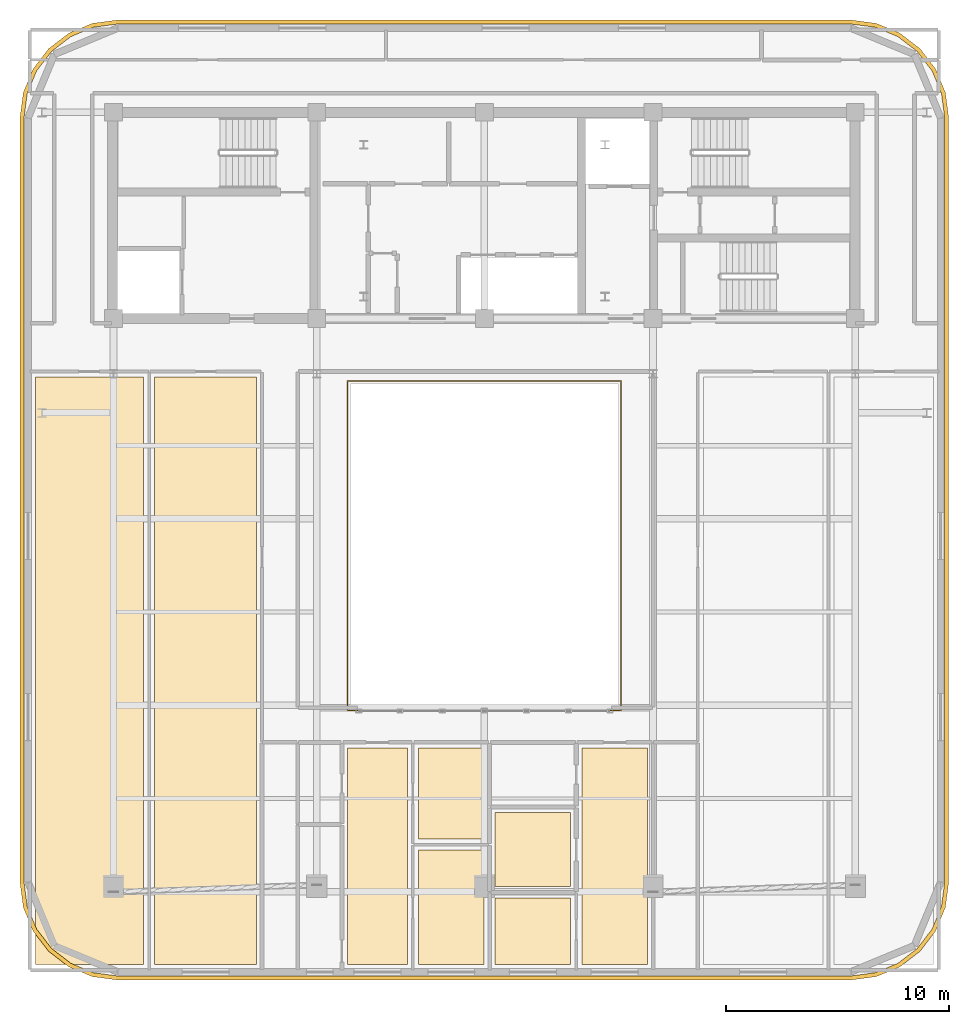
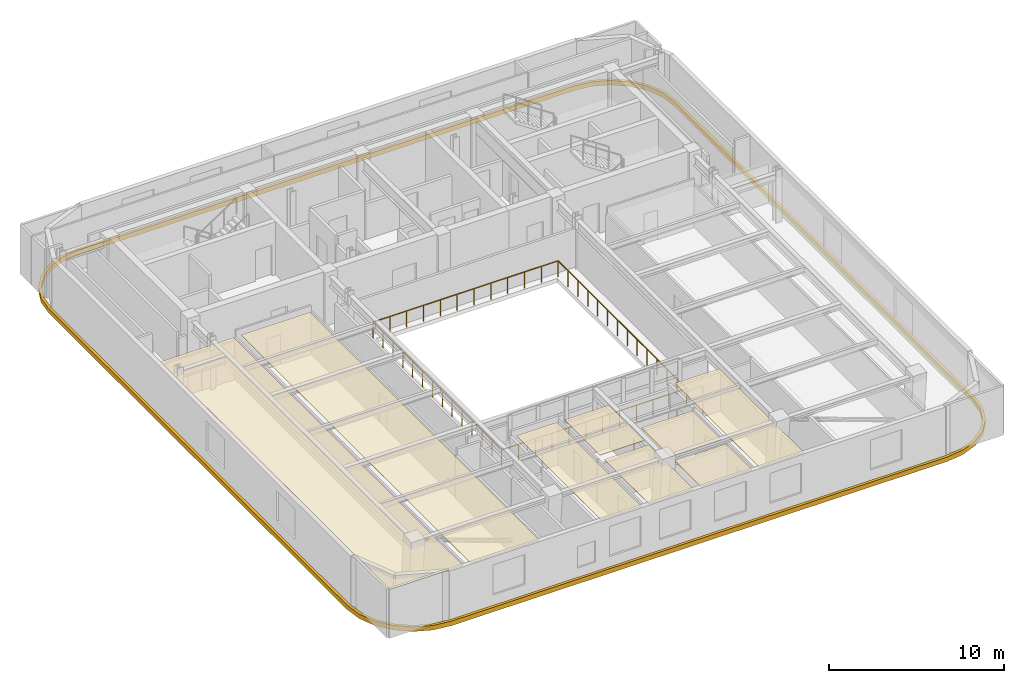
# One storey, part 9 of 11: 9 coverings, 1 railing.
"""IFC4 building model written with IfcOpenShell, lengths in metres."""

from ifc_helpers import new_model, si_unit, direction, frame, origin, origin_2d, place, context, subcontext, project, spatial, polyline, rectangle, outline, extrude, material, layer, layer_set, type_object, element, save


model = new_model("IFC4")

# Units and contexts
model_context = context("Model", 3, precision=1e-05, world=origin(), true_north=direction((0.0, 1.0)))
body_context = subcontext(model_context, "Body", "Model", "MODEL_VIEW")
ifc_project = project(units=[si_unit("LENGTHUNIT", "METRE"), si_unit("AREAUNIT", "SQUARE_METRE"), si_unit("VOLUMEUNIT", "CUBIC_METRE"), si_unit("PLANEANGLEUNIT", "RADIAN"), si_unit("MASSUNIT", "GRAM", prefix="KILO")], contexts=[model_context])

# Site, building, storey
site_placement = place(None, origin())
site = spatial("IfcSite", under=ifc_project, at=site_placement, CompositionType="ELEMENT")
building_placement = place(site_placement, origin())
building = spatial("IfcBuilding", under=site, at=building_placement, Name="Zarnavel Station Tower", CompositionType="ELEMENT")
storey_placement = place(building_placement, frame((0.0, 0.0, 262.10009765625)))
storey = spatial("IfcBuildingStorey", under=building, at=storey_placement, Name="L71", CompositionType="ELEMENT", Elevation=262.10009765625)

# Coverings
ifc_material_1 = material(Name="Perforated Gypsum and Mineral-Wool Acoustic Ceiling", Category="concrete")
ifc_layer = layer(ifc_material_1, 0.0400390625)
ifc_layer_set = layer_set([ifc_layer], Name="COV_CEIL_ACOUSTIC")
covering_type_1 = type_object("IfcCoveringType", Name="COV_CEIL_ACOUSTIC", PredefinedType="CEILING", material=ifc_layer_set)
covering_1_placement = place(storey_placement, frame((0.0, 0.0, 3.099853515625)))
element("IfcCovering", 1, at=covering_1_placement, inside=storey, type_object=covering_type_1, Name="L71 L71GAL Acoustic Ceiling", PredefinedType="CEILING", context=body_context, shape_type="SweptSolid", body=[
    extrude(outline(polyline([(8.7099609375, -1.090087890625), (13.550048828125, -1.090087890625), (13.550048828125, 25.199951171875), (8.7099609375, 25.199951171875), (8.7099609375, -1.090087890625)])), origin(), (0.0, 0.0, 1.0), 0.0400390625),
])
covering_2_placement = place(storey_placement, frame((0.0, 0.0, 3.099853515625)))
element("IfcCovering", 2, at=covering_2_placement, inside=storey, type_object=covering_type_1, Name="L71 L71GYM Acoustic Ceiling", PredefinedType="CEILING", context=body_context, shape_type="SweptSolid", body=[
    extrude(outline(polyline([(14.050048828125, -1.090087890625), (18.60009765625, -1.090087890625), (18.60009765625, 25.199951171875), (14.050048828125, 25.199951171875), (14.050048828125, -1.090087890625)])), origin(), (0.0, 0.0, 1.0), 0.0400390625),
])
covering_3_placement = place(storey_placement, frame((0.0, 0.0, 3.099853515625)))
element("IfcCovering", 3, at=covering_3_placement, inside=storey, type_object=covering_type_1, Name="L71 US1ALV Acoustic Ceiling", PredefinedType="CEILING", context=body_context, shape_type="SweptSolid", body=[
    extrude(outline(polyline([(22.675048828125, -1.090087890625), (25.35205078125, -1.090087890625), (25.35205078125, 8.60009765625), (22.675048828125, 8.60009765625), (22.675048828125, -1.090087890625)])), origin(), (0.0, 0.0, 1.0), 0.0400390625),
])
covering_4_placement = place(storey_placement, frame((0.0, 0.0, 3.099853515625)))
element("IfcCovering", 4, at=covering_4_placement, inside=storey, type_object=covering_type_1, Name="L71 US1AB1 Acoustic Ceiling", PredefinedType="CEILING", context=body_context, shape_type="SweptSolid", body=[
    extrude(outline(polyline([(25.85205078125, -1.090087890625), (28.785888671875, -1.090087890625), (28.785888671875, 4.029052734375), (25.85205078125, 4.029052734375), (25.85205078125, -1.090087890625)])), origin(), (0.0, 0.0, 1.0), 0.0400390625),
])
covering_5_placement = place(storey_placement, frame((0.0, 0.0, 3.099853515625)))
element("IfcCovering", 5, at=covering_5_placement, inside=storey, type_object=covering_type_1, Name="L71 US1AB2 Acoustic Ceiling", PredefinedType="CEILING", context=body_context, shape_type="SweptSolid", body=[
    extrude(outline(polyline([(25.85205078125, 4.529052734375), (28.785888671875, 4.529052734375), (28.785888671875, 8.60009765625), (25.85205078125, 8.60009765625), (25.85205078125, 4.529052734375)])), origin(), (0.0, 0.0, 1.0), 0.0400390625),
])
covering_6_placement = place(storey_placement, frame((0.0, 0.0, 3.099853515625)))
element("IfcCovering", 6, at=covering_6_placement, inside=storey, type_object=covering_type_1, Name="L71 US1BLV Acoustic Ceiling", PredefinedType="CEILING", context=body_context, shape_type="SweptSolid", body=[
    extrude(outline(polyline([(33.162109375, -1.090087890625), (36.10009765625, -1.090087890625), (36.10009765625, 8.60009765625), (33.162109375, 8.60009765625), (33.162109375, -1.090087890625)])), origin(), (0.0, 0.0, 1.0), 0.0400390625),
])
covering_7_placement = place(storey_placement, frame((0.0, 0.0, 3.099853515625)))
element("IfcCovering", 7, at=covering_7_placement, inside=storey, type_object=covering_type_1, Name="L71 US1BB1 Acoustic Ceiling", PredefinedType="CEILING", context=body_context, shape_type="SweptSolid", body=[
    extrude(outline(polyline([(29.285888671875, -1.090087890625), (32.662109375, -1.090087890625), (32.662109375, 1.89306640625), (29.285888671875, 1.89306640625), (29.285888671875, -1.090087890625)])), origin(), (0.0, 0.0, 1.0), 0.0400390625),
])
covering_8_placement = place(storey_placement, frame((0.0, 0.0, 3.099853515625)))
element("IfcCovering", 8, at=covering_8_placement, inside=storey, type_object=covering_type_1, Name="L71 US1BKT Acoustic Ceiling", PredefinedType="CEILING", context=body_context, shape_type="SweptSolid", body=[
    extrude(outline(polyline([(29.285888671875, 2.39306640625), (32.662109375, 2.39306640625), (32.662109375, 5.716064453125), (29.285888671875, 5.716064453125), (29.285888671875, 2.39306640625)])), origin(), (0.0, 0.0, 1.0), 0.0400390625),
])
ifc_material_2 = material(Name="Precast concrete C45/55 (Pale Travertine Slab Band)", Category="masonry")
covering_type_2 = type_object("IfcCoveringType", Name="COV_TRAVERTINE_BAND", PredefinedType="CLADDING", material=ifc_material_2)
covering_9_placement = place(storey_placement, frame((0.0, 0.0, -0.260009765625)))
element("IfcCovering", 9, at=covering_9_placement, inside=storey, type_object=covering_type_2, Name="L71 Pale Travertine Slab-Edge Band", PredefinedType="CLADDING", context=body_context, shape_type="SweptSolid", body=[
    extrude(outline(polyline([(45.199951171875, -1.780029296875), (46.33349609375, -1.630859375), (47.389892578125, -1.193115234375), (48.297119140625, -0.4970703125), (48.9931640625, 0.409912109375), (49.430908203125, 1.46630859375), (49.580078125, 2.60009765625), (49.580078125, 36.800048828125), (49.430908203125, 37.93359375), (48.9931640625, 38.989990234375), (48.297119140625, 39.897216796875), (47.389892578125, 40.59326171875), (46.33349609375, 41.03076171875), (45.199951171875, 41.179931640625), (12.39990234375, 41.179931640625), (11.266357421875, 41.03076171875), (10.2099609375, 40.59326171875), (9.302978515625, 39.897216796875), (8.606689453125, 38.989990234375), (8.169189453125, 37.93359375), (8.02001953125, 36.800048828125), (8.02001953125, 2.60009765625), (8.169189453125, 1.46630859375), (8.606689453125, 0.409912109375), (9.302978515625, -0.4970703125), (10.2099609375, -1.193115234375), (11.266357421875, -1.630859375), (12.39990234375, -1.780029296875), (45.199951171875, -1.780029296875)]), holes=[polyline([(45.199951171875, -1.60009765625), (46.287109375, -1.456787109375), (47.300048828125, -1.037353515625), (48.169921875, -0.369873046875), (48.83740234375, 0.5), (49.2568359375, 1.512939453125), (49.39990234375, 2.60009765625), (49.39990234375, 36.800048828125), (49.2568359375, 37.886962890625), (48.83740234375, 38.89990234375), (48.169921875, 39.769775390625), (47.300048828125, 40.437255859375), (46.287109375, 40.85693359375), (45.199951171875, 41.0), (12.39990234375, 41.0), (11.31298828125, 40.85693359375), (10.300048828125, 40.437255859375), (9.43017578125, 39.769775390625), (8.7626953125, 38.89990234375), (8.343017578125, 37.886962890625), (8.199951171875, 36.800048828125), (8.199951171875, 2.60009765625), (8.343017578125, 1.512939453125), (8.7626953125, 0.5), (9.43017578125, -0.369873046875), (10.300048828125, -1.037353515625), (11.31298828125, -1.456787109375), (12.39990234375, -1.60009765625), (45.199951171875, -1.60009765625)])]), origin(), (0.0, 0.0, 1.0), 0.31982421875),
])

# Railing
ifc_material_3 = material(Name="Painted Steel S355J2 Balustrade", Category="steel")
railing_type = type_object("IfcRailingType", Name="GR_INT_1150", PredefinedType="GUARDRAIL", material=ifc_material_3)
railing_placement = place(storey_placement, frame((22.679931640625, 10.280029296875, 0.0)))
element("IfcRailing", 10, at=railing_placement, inside=storey, type_object=railing_type, Name="L71 Atrium Void Guardrail", PredefinedType="GUARDRAIL", context=body_context, shape_type="SweptSolid", body=[
    extrude(rectangle(XDim=0.048095703125, YDim=0.048095703125, at=origin_2d()), frame((0.001953125, 0.0, 1.1259765625), z_axis=(1.0, 0.0, 0.0), x_axis=(0.0, 1.0, 0.0)), (0.0, 0.0, 1.0), 12.236083984375),
    extrude(rectangle(XDim=0.048095703125, YDim=0.048095703125, at=origin_2d()), frame((12.239990234375, 0.001953125, 1.1259765625), z_axis=(0.0, 1.0, 0.0), x_axis=(-1.0, 0.0, 0.0)), (0.0, 0.0, 1.0), 14.736083984375),
    extrude(rectangle(XDim=0.048095703125, YDim=0.048095703125, at=origin_2d()), frame((12.238037109375, 14.739990234375, 1.1259765625), z_axis=(-1.0, 0.0, 0.0), x_axis=(0.0, -1.0, 0.0)), (0.0, 0.0, 1.0), 12.236083984375),
    extrude(rectangle(XDim=0.048095703125, YDim=0.048095703125, at=origin_2d()), frame((0.0, 14.738037109375, 1.1259765625), z_axis=(0.0, -1.0, 0.0), x_axis=(1.0, 0.0, 0.0)), (0.0, 0.0, 1.0), 14.736083984375),
    extrude(rectangle(XDim=0.0419921875, YDim=0.0419921875, at=origin_2d()), origin(), (0.0, 0.0, 1.0), 1.101806640625),
    extrude(rectangle(XDim=0.0419921875, YDim=0.0419921875, at=origin_2d()), frame((1.11279296875, 0.0, 0.0)), (0.0, 0.0, 1.0), 1.101806640625),
    extrude(rectangle(XDim=0.0419921875, YDim=0.0419921875, at=origin_2d()), frame((2.225341796875, 0.0, 0.0)), (0.0, 0.0, 1.0), 1.101806640625),
    extrude(rectangle(XDim=0.0419921875, YDim=0.0419921875, at=origin_2d()), frame((3.338134765625, 0.0, 0.0)), (0.0, 0.0, 1.0), 1.101806640625),
    extrude(rectangle(XDim=0.0419921875, YDim=0.0419921875, at=origin_2d()), frame((4.450927734375, 0.0, 0.0)), (0.0, 0.0, 1.0), 1.101806640625),
    extrude(rectangle(XDim=0.0419921875, YDim=0.0419921875, at=origin_2d()), frame((5.563720703125, 0.0, 0.0)), (0.0, 0.0, 1.0), 1.101806640625),
    extrude(rectangle(XDim=0.0419921875, YDim=0.0419921875, at=origin_2d()), frame((6.67626953125, 0.0, 0.0)), (0.0, 0.0, 1.0), 1.101806640625),
    extrude(rectangle(XDim=0.0419921875, YDim=0.0419921875, at=origin_2d()), frame((7.7890625, 0.0, 0.0)), (0.0, 0.0, 1.0), 1.101806640625),
    extrude(rectangle(XDim=0.0419921875, YDim=0.0419921875, at=origin_2d()), frame((8.90185546875, 0.0, 0.0)), (0.0, 0.0, 1.0), 1.101806640625),
    extrude(rectangle(XDim=0.0419921875, YDim=0.0419921875, at=origin_2d()), frame((10.0146484375, 0.0, 0.0)), (0.0, 0.0, 1.0), 1.101806640625),
    extrude(rectangle(XDim=0.0419921875, YDim=0.0419921875, at=origin_2d()), frame((11.127197265625, 0.0, 0.0)), (0.0, 0.0, 1.0), 1.101806640625),
    extrude(rectangle(XDim=0.0419921875, YDim=0.0419921875, at=origin_2d()), frame((12.239990234375, 0.0, 0.0)), (0.0, 0.0, 1.0), 1.101806640625),
    extrude(rectangle(XDim=0.0419921875, YDim=0.0419921875, at=origin_2d()), frame((12.239990234375, 1.1337890625, 0.0)), (0.0, 0.0, 1.0), 1.101806640625),
    extrude(rectangle(XDim=0.0419921875, YDim=0.0419921875, at=origin_2d()), frame((12.239990234375, 2.267578125, 0.0)), (0.0, 0.0, 1.0), 1.101806640625),
    extrude(rectangle(XDim=0.0419921875, YDim=0.0419921875, at=origin_2d()), frame((12.239990234375, 3.401611328125, 0.0)), (0.0, 0.0, 1.0), 1.101806640625),
    extrude(rectangle(XDim=0.0419921875, YDim=0.0419921875, at=origin_2d()), frame((12.239990234375, 4.535400390625, 0.0)), (0.0, 0.0, 1.0), 1.101806640625),
    extrude(rectangle(XDim=0.0419921875, YDim=0.0419921875, at=origin_2d()), frame((12.239990234375, 5.669189453125, 0.0)), (0.0, 0.0, 1.0), 1.101806640625),
    extrude(rectangle(XDim=0.0419921875, YDim=0.0419921875, at=origin_2d()), frame((12.239990234375, 6.802978515625, 0.0)), (0.0, 0.0, 1.0), 1.101806640625),
    extrude(rectangle(XDim=0.0419921875, YDim=0.0419921875, at=origin_2d()), frame((12.239990234375, 7.93701171875, 0.0)), (0.0, 0.0, 1.0), 1.101806640625),
    extrude(rectangle(XDim=0.0419921875, YDim=0.0419921875, at=origin_2d()), frame((12.239990234375, 9.07080078125, 0.0)), (0.0, 0.0, 1.0), 1.101806640625),
    extrude(rectangle(XDim=0.0419921875, YDim=0.0419921875, at=origin_2d()), frame((12.239990234375, 10.20458984375, 0.0)), (0.0, 0.0, 1.0), 1.101806640625),
    extrude(rectangle(XDim=0.0419921875, YDim=0.0419921875, at=origin_2d()), frame((12.239990234375, 11.33837890625, 0.0)), (0.0, 0.0, 1.0), 1.101806640625),
    extrude(rectangle(XDim=0.0419921875, YDim=0.0419921875, at=origin_2d()), frame((12.239990234375, 12.472412109375, 0.0)), (0.0, 0.0, 1.0), 1.101806640625),
    extrude(rectangle(XDim=0.0419921875, YDim=0.0419921875, at=origin_2d()), frame((12.239990234375, 13.606201171875, 0.0)), (0.0, 0.0, 1.0), 1.101806640625),
    extrude(rectangle(XDim=0.0419921875, YDim=0.0419921875, at=origin_2d()), frame((12.239990234375, 14.739990234375, 0.0)), (0.0, 0.0, 1.0), 1.101806640625),
    extrude(rectangle(XDim=0.0419921875, YDim=0.0419921875, at=origin_2d()), frame((11.127197265625, 14.739990234375, 0.0)), (0.0, 0.0, 1.0), 1.101806640625),
    extrude(rectangle(XDim=0.0419921875, YDim=0.0419921875, at=origin_2d()), frame((10.0146484375, 14.739990234375, 0.0)), (0.0, 0.0, 1.0), 1.101806640625),
    extrude(rectangle(XDim=0.0419921875, YDim=0.0419921875, at=origin_2d()), frame((8.90185546875, 14.739990234375, 0.0)), (0.0, 0.0, 1.0), 1.101806640625),
    extrude(rectangle(XDim=0.0419921875, YDim=0.0419921875, at=origin_2d()), frame((7.7890625, 14.739990234375, 0.0)), (0.0, 0.0, 1.0), 1.101806640625),
    extrude(rectangle(XDim=0.0419921875, YDim=0.0419921875, at=origin_2d()), frame((6.67626953125, 14.739990234375, 0.0)), (0.0, 0.0, 1.0), 1.101806640625),
    extrude(rectangle(XDim=0.0419921875, YDim=0.0419921875, at=origin_2d()), frame((5.563720703125, 14.739990234375, 0.0)), (0.0, 0.0, 1.0), 1.101806640625),
    extrude(rectangle(XDim=0.0419921875, YDim=0.0419921875, at=origin_2d()), frame((4.450927734375, 14.739990234375, 0.0)), (0.0, 0.0, 1.0), 1.101806640625),
    extrude(rectangle(XDim=0.0419921875, YDim=0.0419921875, at=origin_2d()), frame((3.338134765625, 14.739990234375, 0.0)), (0.0, 0.0, 1.0), 1.101806640625),
    extrude(rectangle(XDim=0.0419921875, YDim=0.0419921875, at=origin_2d()), frame((2.225341796875, 14.739990234375, 0.0)), (0.0, 0.0, 1.0), 1.101806640625),
    extrude(rectangle(XDim=0.0419921875, YDim=0.0419921875, at=origin_2d()), frame((1.11279296875, 14.739990234375, 0.0)), (0.0, 0.0, 1.0), 1.101806640625),
    extrude(rectangle(XDim=0.0419921875, YDim=0.0419921875, at=origin_2d()), frame((0.0, 14.739990234375, 0.0)), (0.0, 0.0, 1.0), 1.101806640625),
    extrude(rectangle(XDim=0.0419921875, YDim=0.0419921875, at=origin_2d()), frame((0.0, 13.606201171875, 0.0)), (0.0, 0.0, 1.0), 1.101806640625),
    extrude(rectangle(XDim=0.0419921875, YDim=0.0419921875, at=origin_2d()), frame((0.0, 12.472412109375, 0.0)), (0.0, 0.0, 1.0), 1.101806640625),
    extrude(rectangle(XDim=0.0419921875, YDim=0.0419921875, at=origin_2d()), frame((0.0, 11.33837890625, 0.0)), (0.0, 0.0, 1.0), 1.101806640625),
    extrude(rectangle(XDim=0.0419921875, YDim=0.0419921875, at=origin_2d()), frame((0.0, 10.20458984375, 0.0)), (0.0, 0.0, 1.0), 1.101806640625),
    extrude(rectangle(XDim=0.0419921875, YDim=0.0419921875, at=origin_2d()), frame((0.0, 9.07080078125, 0.0)), (0.0, 0.0, 1.0), 1.101806640625),
    extrude(rectangle(XDim=0.0419921875, YDim=0.0419921875, at=origin_2d()), frame((0.0, 7.93701171875, 0.0)), (0.0, 0.0, 1.0), 1.101806640625),
    extrude(rectangle(XDim=0.0419921875, YDim=0.0419921875, at=origin_2d()), frame((0.0, 6.802978515625, 0.0)), (0.0, 0.0, 1.0), 1.101806640625),
    extrude(rectangle(XDim=0.0419921875, YDim=0.0419921875, at=origin_2d()), frame((0.0, 5.669189453125, 0.0)), (0.0, 0.0, 1.0), 1.101806640625),
    extrude(rectangle(XDim=0.0419921875, YDim=0.0419921875, at=origin_2d()), frame((0.0, 4.535400390625, 0.0)), (0.0, 0.0, 1.0), 1.101806640625),
    extrude(rectangle(XDim=0.0419921875, YDim=0.0419921875, at=origin_2d()), frame((0.0, 3.401611328125, 0.0)), (0.0, 0.0, 1.0), 1.101806640625),
    extrude(rectangle(XDim=0.0419921875, YDim=0.0419921875, at=origin_2d()), frame((0.0, 2.267578125, 0.0)), (0.0, 0.0, 1.0), 1.101806640625),
    extrude(rectangle(XDim=0.0419921875, YDim=0.0419921875, at=origin_2d()), frame((0.0, 1.1337890625, 0.0)), (0.0, 0.0, 1.0), 1.101806640625),
])

save(model, "model.ifc")
